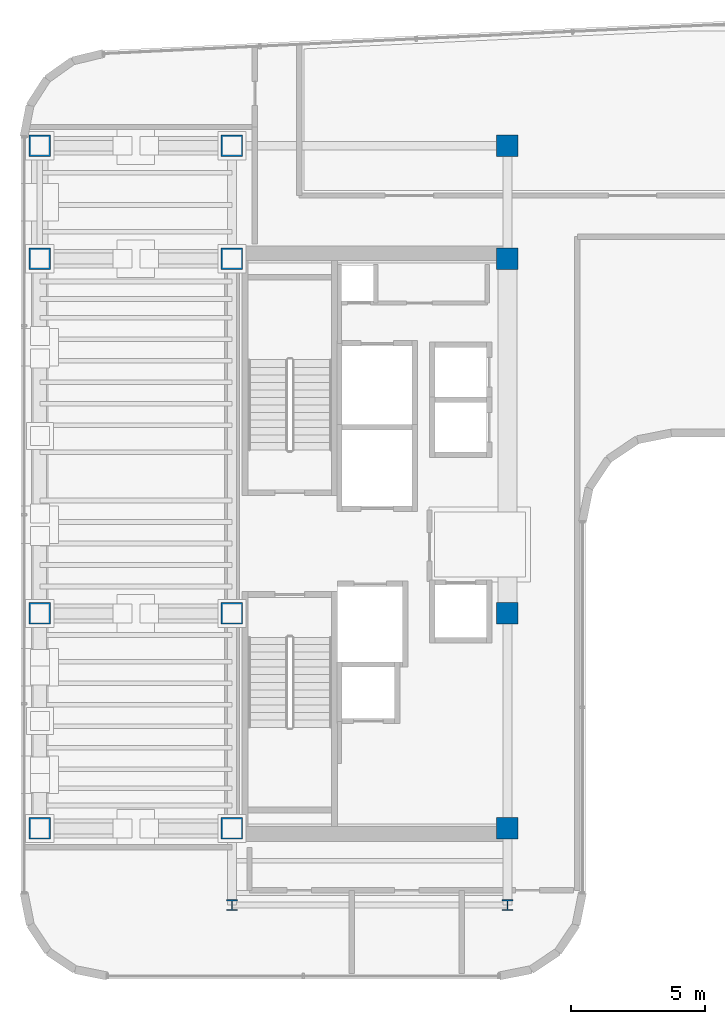
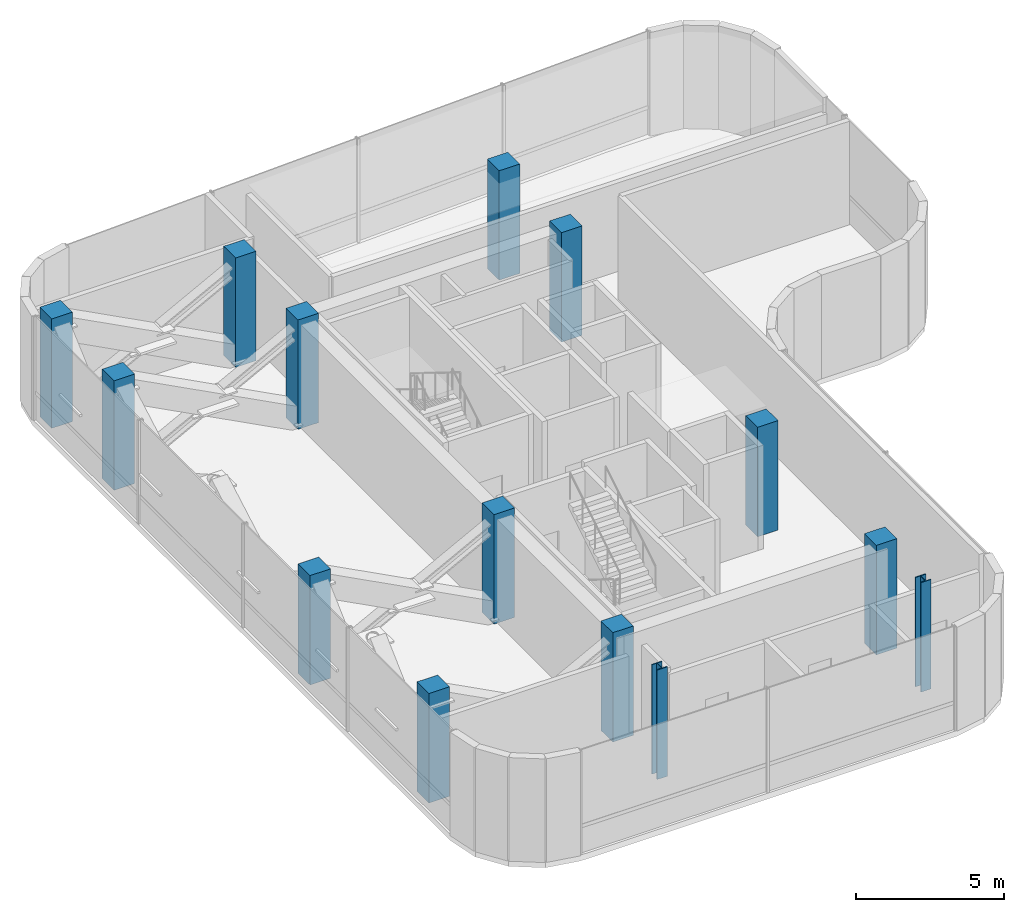
# One storey, part 1 of 19: 14 columns.
"""IFC4 building model written with IfcOpenShell, lengths in metres."""

from ifc_helpers import new_model, si_unit, direction, frame, origin, origin_2d, place, context, subcontext, project, spatial, rectangle, i_section, extrude, source, transform, mapped, material, material_profile, profile_set, type_object, element, save


model = new_model("IFC4")

# Units and contexts
model_context = context("Model", 3, precision=1e-05, world=origin(), true_north=direction((0.0, 1.0)))
body_context = subcontext(model_context, "Body", "Model", "MODEL_VIEW")
ifc_project = project(units=[si_unit("LENGTHUNIT", "METRE"), si_unit("AREAUNIT", "SQUARE_METRE"), si_unit("VOLUMEUNIT", "CUBIC_METRE"), si_unit("PLANEANGLEUNIT", "RADIAN"), si_unit("MASSUNIT", "GRAM", prefix="KILO")], contexts=[model_context])

# Site, building, storey
site_placement = place(None, origin())
site = spatial("IfcSite", under=ifc_project, at=site_placement, CompositionType="ELEMENT")
building_placement = place(site_placement, origin())
building = spatial("IfcBuilding", under=site, at=building_placement, Name="Valdorenza Pilgrim Sanctuary Tower", CompositionType="ELEMENT")
storey_placement = place(building_placement, frame((0.0, 0.0, 261.5)))
storey = spatial("IfcBuildingStorey", under=building, at=storey_placement, Name="L68", CompositionType="ELEMENT", Elevation=261.5)

# Columns
ifc_material_1 = material(Name="Concrete C50/60", Category="concrete")
ifc_material_profile_1 = material_profile(ifc_material_1, rectangle(XDim=0.800048828125, YDim=0.800048828125, at=origin_2d()), Name="RC 800x800")
ifc_profile_set_1 = profile_set([ifc_material_profile_1], Name="Concrete C50/60")
column_type_1 = type_object("IfcColumnType", Name="COL-Z4B-800", PredefinedType="COLUMN", material=ifc_profile_set_1)
shared_shape_1 = source(origin(), body_context, "Body", "SweptSolid", [
    extrude(rectangle(XDim=0.800048828125, YDim=0.800048828125, at=origin_2d()), origin(), (0.0, 0.0, 1.0), 4.5),
])
for number, where, z_axis, x_axis, name in (
    (1, (-29.800048828125, -10.60009765625, 0.0), (0.0, 0.0, 1.0), (1.0, 0.0, 0.0), "L68 Perimeter Column WA-W-S1"),
    (2, (-22.64990234375, -10.60009765625, 0.0), (0.0, 0.0, 1.0), (1.0, 0.0, 0.0), "L68 Column CA-W-S1"),
    (3, (-12.39990234375, -10.60009765625, 0.0), (0.0, 0.0, 1.0), (1.0, 0.0, 0.0), "L68 Column CA-E-S1"),
    (4, (-29.800048828125, -2.60009765625, 0.0), (0.0, 0.0, 1.0), (1.0, 0.0, 0.0), "L68 Perimeter Column WA-W-M0"),
    (5, (-22.64990234375, -2.60009765625, 0.0), (0.0, 0.0, 1.0), (1.0, 0.0, 0.0), "L68 Column CA-W-M0"),
    (6, (-12.39990234375, -2.60009765625, 0.0), (0.0, 0.0, 1.0), (1.0, 0.0, 0.0), "L68 Column CA-E-M0"),
    (7, (-29.800048828125, 10.60009765625, 0.0), (0.0, 0.0, 1.0), (1.0, 0.0, 0.0), "L68 Perimeter Column WA-W-N1"),
    (8, (-22.64990234375, 10.60009765625, 0.0), (0.0, 0.0, 1.0), (1.0, 0.0, 0.0), "L68 Column CA-W-N1"),
    (9, (-12.39990234375, 10.60009765625, 0.0), (0.0, 0.0, 1.0), (1.0, 0.0, 0.0), "L68 Column CA-E-N1"),
    (10, (-29.800048828125, 14.800048828125, 0.0), (0.0, 0.0, 1.0), (1.0, 0.0, 0.0), "L68 Perimeter Column WA-W-N2"),
    (11, (-22.64990234375, 14.800048828125, 0.0), (0.0, 0.0, 1.0), (1.0, 0.0, 0.0), "L68 Column CA-W-N2"),
    (12, (-12.39990234375, 14.800048828125, 0.0), (0.0, 0.0, 1.0), (1.0, 0.0, 0.0), "L68 Column CA-E-N2"),
):
    element("IfcColumn", number, at=place(storey_placement, frame(where, z_axis=z_axis, x_axis=x_axis)), inside=storey, type_object=column_type_1, Name=name, PredefinedType="COLUMN", context=body_context, shape_type="MappedRepresentation", body=[
        mapped(shared_shape_1, transform((0.0, 0.0, 0.0), x_axis=(1.0, 0.0, 0.0), y_axis=(0.0, 1.0, 0.0), z_axis=(0.0, 0.0, 1.0), scale=1.0)),
    ])
ifc_material_2 = material(Name="Steel ASTM A992 Grade 50", Category="steel")
ifc_material_profile_2 = material_profile(ifc_material_2, i_section(OverallWidth=0.40087890625, OverallDepth=0.39892578125, WebThickness=0.02490234375, FlangeThickness=0.03955078125, at=origin_2d()), Name="W14X211")
ifc_profile_set_2 = profile_set([ifc_material_profile_2], Name="Steel ASTM A992 Grade 50")
column_type_2 = type_object("IfcColumnType", Name="COL-STL-W211", PredefinedType="COLUMN", material=ifc_profile_set_2)
shared_shape_2 = source(origin(), body_context, "Body", "SweptSolid", [
    extrude(i_section(OverallWidth=0.40087890625, OverallDepth=0.39892578125, WebThickness=0.02490234375, FlangeThickness=0.03955078125, at=origin_2d()), origin(), (0.0, 0.0, 1.0), 4.5),
])
for number, where, z_axis, x_axis, name in (
    (13, (-22.64990234375, -13.449951171875, 0.0), (0.0, 0.0, 1.0), (1.0, 0.0, 0.0), "L68 Column WA-S-W"),
    (14, (-12.39990234375, -13.449951171875, 0.0), (0.0, 0.0, 1.0), (1.0, 0.0, 0.0), "L68 Column WA-S-E"),
):
    element("IfcColumn", number, at=place(storey_placement, frame(where, z_axis=z_axis, x_axis=x_axis)), inside=storey, type_object=column_type_2, Name=name, PredefinedType="COLUMN", context=body_context, shape_type="MappedRepresentation", body=[
        mapped(shared_shape_2, transform((0.0, 0.0, 0.0), x_axis=(1.0, 0.0, 0.0), y_axis=(0.0, 1.0, 0.0), z_axis=(0.0, 0.0, 1.0), scale=1.0)),
    ])

save(model, "model.ifc")
